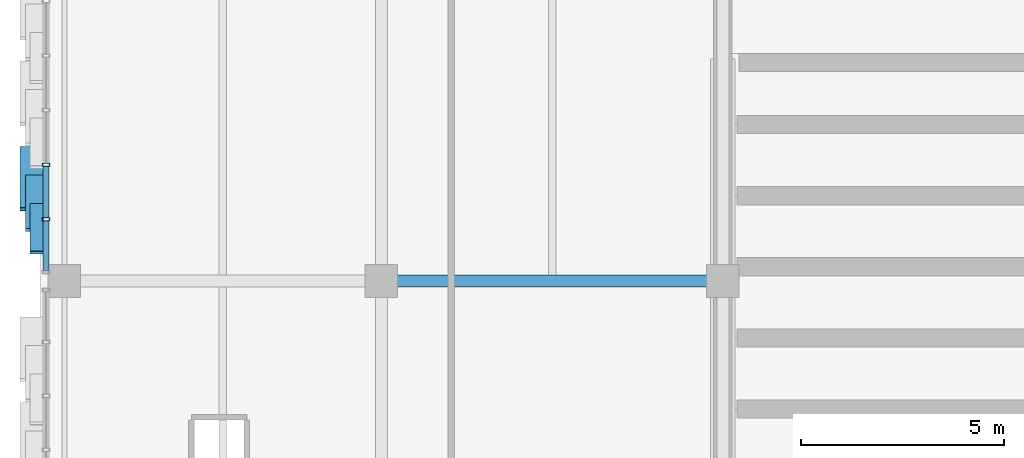
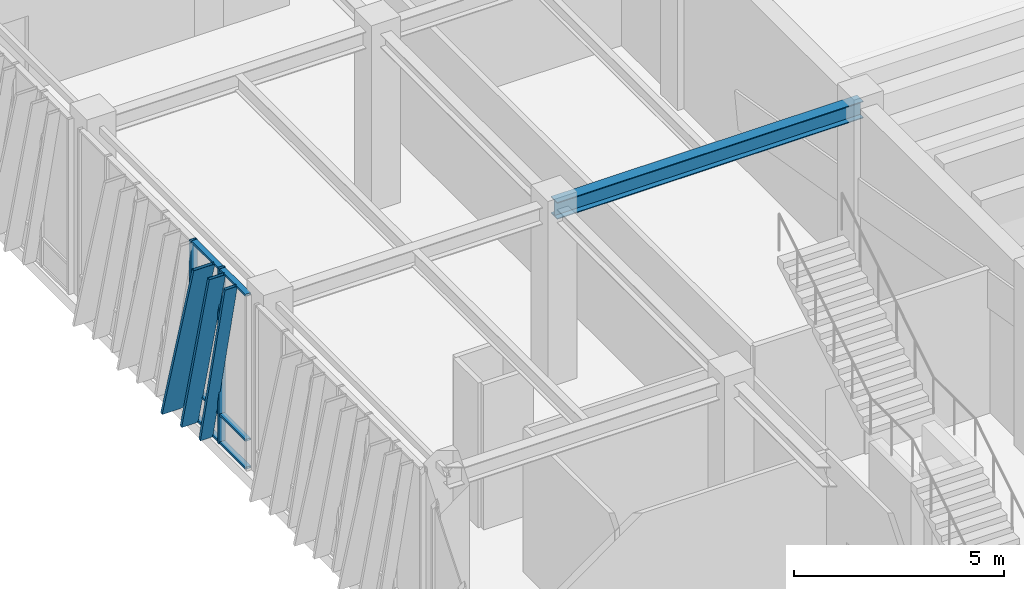
# One storey, part 36 of 122: 11 members, 1 beam, 1 element without a shape of its own.
"""IFC4 building model written with IfcOpenShell, lengths in metres."""

from ifc_helpers import new_model, si_unit, direction, frame, origin, origin_2d, place, context, subcontext, project, spatial, hollow_rectangle, i_section, extrude, material, layer, layer_set, material_profile, profile_set, type_object, element, aggregate, save


model = new_model("IFC4")

# Units and contexts
model_context = context("Model", 3, precision=1e-05, world=origin(), true_north=direction((0.0, 1.0)))
body_context = subcontext(model_context, "Body", "Model", "MODEL_VIEW")
ifc_project = project(units=[si_unit("LENGTHUNIT", "METRE"), si_unit("AREAUNIT", "SQUARE_METRE"), si_unit("VOLUMEUNIT", "CUBIC_METRE"), si_unit("PLANEANGLEUNIT", "RADIAN"), si_unit("MASSUNIT", "GRAM", prefix="KILO")], contexts=[model_context])

# Site, building, storey
site_placement = place(None, origin())
site = spatial("IfcSite", under=ifc_project, at=site_placement, CompositionType="ELEMENT")
building_placement = place(site_placement, origin())
building = spatial("IfcBuilding", under=site, at=building_placement, Name="Zayran Congress Hotel", CompositionType="ELEMENT")
storey_placement = place(building_placement, origin())
storey = spatial("IfcBuildingStorey", under=building, at=storey_placement, Name="L00", CompositionType="ELEMENT", Elevation=0.0)

# Beam
ifc_material_1 = material(Name="Steel S355", Category="steel")
ifc_material_profile_1 = material_profile(ifc_material_1, i_section(OverallWidth=0.300048828125, OverallDepth=0.489990234375, WebThickness=0.011962890625, FlangeThickness=0.02294921875, at=origin_2d()), Name="HEA 500")
ifc_profile_set_1 = profile_set([ifc_material_profile_1], Name="Steel S355")
beam_type = type_object("IfcBeamType", Name="TP-BM-05", PredefinedType="BEAM", material=ifc_profile_set_1)
beam_placement = place(storey_placement, frame((16.800048828125, 92.800048828125, 4.8349609375), z_axis=(1.0, 0.0, 0.0), x_axis=(0.0, 1.0, 0.0)))
element("IfcBeam", 1, at=beam_placement, inside=storey, type_object=beam_type, Name="BM-V1-L00-0418", PredefinedType="BEAM", context=body_context, shape_type="SweptSolid", body=[
    extrude(i_section(OverallWidth=0.300048828125, OverallDepth=0.489990234375, WebThickness=0.011962890625, FlangeThickness=0.02294921875, at=origin_2d()), origin(), (0.0, 0.0, 1.0), 8.39990234375),
])

# Curtain wall, members
ifc_material_2 = material(Name="Anodised aluminium and low-E insulated glass", Category="aluminium")
ifc_layer = layer(ifc_material_2, 0.179931640625)
ifc_layer_set = layer_set([ifc_layer], Name="Anodised aluminium and low-E insulated glass")
curtain_wall_type = type_object("IfcCurtainWallType", Name="CW-V1W-L00-CW-32-8040-5080", PredefinedType="USERDEFINED", material=ifc_layer_set)
curtain_wall_placement = place(storey_placement, origin())
curtain_wall = element("IfcCurtainWall", 2, at=curtain_wall_placement, inside=storey, type_object=curtain_wall_type, Name="CW-V1W-L00-3", ObjectType="CURTAIN WALL", PredefinedType="USERDEFINED")
ifc_material_3 = material(Name="Anodised aluminium framing", Category="aluminium")
ifc_material_profile_2 = material_profile(ifc_material_3, hollow_rectangle(XDim=0.080078125, YDim=0.179931640625, WallThickness=0.0048828125, at=origin_2d()), Name="RHS 180x80x5")
ifc_profile_set_2 = profile_set([ifc_material_profile_2], Name="Anodised aluminium framing")
member_type_1 = type_object("IfcMemberType", Name="TP-CWM-01", PredefinedType="MULLION", material=ifc_profile_set_2)
member_1_placement = place(storey_placement, frame((8.550048828125, 95.659912109375, 0.0), z_axis=(0.0, 0.0, 1.0), x_axis=(0.0, 1.0, 0.0)))
member_1 = element("IfcMember", 3, at=member_1_placement, type_object=member_type_1, Name="CW-V1W-L00-3-M04", PredefinedType="MULLION", context=body_context, shape_type="SweptSolid", body=[
    extrude(hollow_rectangle(XDim=0.080078125, YDim=0.179931640625, WallThickness=0.0048828125, at=origin_2d()), origin(), (0.0, 0.0, 1.0), 5.080078125),
])
member_2_placement = place(storey_placement, frame((8.550048828125, 94.320068359375, 0.0), z_axis=(0.0, 0.0, 1.0), x_axis=(0.0, 1.0, 0.0)))
member_2 = element("IfcMember", 4, at=member_2_placement, type_object=member_type_1, Name="CW-V1W-L00-3-M05", PredefinedType="MULLION", context=body_context, shape_type="SweptSolid", body=[
    extrude(hollow_rectangle(XDim=0.080078125, YDim=0.179931640625, WallThickness=0.0048828125, at=origin_2d()), origin(), (0.0, 0.0, 1.0), 5.080078125),
])
ifc_material_profile_3 = material_profile(ifc_material_3, hollow_rectangle(XDim=0.06005859375, YDim=0.14990234375, WallThickness=0.00390625, at=origin_2d()), Name="RHS 150x60x4")
ifc_profile_set_3 = profile_set([ifc_material_profile_3], Name="Anodised aluminium framing")
member_type_2 = type_object("IfcMemberType", Name="TP-CWT-01", PredefinedType="USERDEFINED", material=ifc_profile_set_3)
member_3_placement = place(storey_placement, frame((8.550048828125, 95.6201171875, 0.030029296875), z_axis=(0.0, -1.0, 0.0), x_axis=(0.0, 0.0, 1.0)))
member_3 = element("IfcMember", 5, at=member_3_placement, type_object=member_type_2, Name="CW-V1W-L00-3-T04-0", ObjectType="TRANSOM", PredefinedType="USERDEFINED", context=body_context, shape_type="SweptSolid", body=[
    extrude(hollow_rectangle(XDim=0.06005859375, YDim=0.14990234375, WallThickness=0.00390625, at=origin_2d()), origin(), (0.0, 0.0, 1.0), 1.260009765625),
])
member_4_placement = place(storey_placement, frame((8.550048828125, 95.6201171875, 0.840087890625), z_axis=(0.0, -1.0, 0.0), x_axis=(0.0, 0.0, 1.0)))
member_4 = element("IfcMember", 6, at=member_4_placement, type_object=member_type_2, Name="CW-V1W-L00-3-T04-1", ObjectType="TRANSOM", PredefinedType="USERDEFINED", context=body_context, shape_type="SweptSolid", body=[
    extrude(hollow_rectangle(XDim=0.06005859375, YDim=0.14990234375, WallThickness=0.00390625, at=origin_2d()), origin(), (0.0, 0.0, 1.0), 1.260009765625),
])
member_5_placement = place(storey_placement, frame((8.550048828125, 95.6201171875, 5.050048828125), z_axis=(0.0, -1.0, 0.0), x_axis=(0.0, 0.0, 1.0)))
member_5 = element("IfcMember", 7, at=member_5_placement, type_object=member_type_2, Name="CW-V1W-L00-3-T04-2", ObjectType="TRANSOM", PredefinedType="USERDEFINED", context=body_context, shape_type="SweptSolid", body=[
    extrude(hollow_rectangle(XDim=0.06005859375, YDim=0.14990234375, WallThickness=0.00390625, at=origin_2d()), origin(), (0.0, 0.0, 1.0), 1.260009765625),
])
member_6_placement = place(storey_placement, frame((8.550048828125, 94.280029296875, 0.030029296875), z_axis=(0.0, -1.0, 0.0), x_axis=(0.0, 0.0, 1.0)))
member_6 = element("IfcMember", 8, at=member_6_placement, type_object=member_type_2, Name="CW-V1W-L00-3-T05-0", ObjectType="TRANSOM", PredefinedType="USERDEFINED", context=body_context, shape_type="SweptSolid", body=[
    extrude(hollow_rectangle(XDim=0.06005859375, YDim=0.14990234375, WallThickness=0.00390625, at=origin_2d()), origin(), (0.0, 0.0, 1.0), 1.219970703125),
])
member_7_placement = place(storey_placement, frame((8.550048828125, 94.280029296875, 0.840087890625), z_axis=(0.0, -1.0, 0.0), x_axis=(0.0, 0.0, 1.0)))
member_7 = element("IfcMember", 9, at=member_7_placement, type_object=member_type_2, Name="CW-V1W-L00-3-T05-1", ObjectType="TRANSOM", PredefinedType="USERDEFINED", context=body_context, shape_type="SweptSolid", body=[
    extrude(hollow_rectangle(XDim=0.06005859375, YDim=0.14990234375, WallThickness=0.00390625, at=origin_2d()), origin(), (0.0, 0.0, 1.0), 1.219970703125),
])
member_8_placement = place(storey_placement, frame((8.550048828125, 94.280029296875, 5.050048828125), z_axis=(0.0, -1.0, 0.0), x_axis=(0.0, 0.0, 1.0)))
member_8 = element("IfcMember", 10, at=member_8_placement, type_object=member_type_2, Name="CW-V1W-L00-3-T05-2", ObjectType="TRANSOM", PredefinedType="USERDEFINED", context=body_context, shape_type="SweptSolid", body=[
    extrude(hollow_rectangle(XDim=0.06005859375, YDim=0.14990234375, WallThickness=0.00390625, at=origin_2d()), origin(), (0.0, 0.0, 1.0), 1.219970703125),
])
ifc_material_4 = material(Name="Warm bronze anodised aluminium", Category="aluminium")
ifc_material_profile_4 = material_profile(ifc_material_4, hollow_rectangle(XDim=0.080078125, YDim=0.580078125, WallThickness=0.006103515625, at=origin_2d()), Name="RHS 580x80x6")
ifc_profile_set_4 = profile_set([ifc_material_profile_4], Name="Warm bronze anodised aluminium")
member_type_3 = type_object("IfcMemberType", Name="TP-RFN-01", PredefinedType="MULLION", material=ifc_profile_set_4)
member_9_placement = place(storey_placement, frame((8.199951171875, 96.070068359375, 0.0), z_axis=(0.0, -0.284031848834, 0.958814845968), x_axis=(0.0, 0.958814845968, 0.284031848834)))
member_9 = element("IfcMember", 11, at=member_9_placement, type_object=member_type_3, Name="Slanting Reed Mullion CW-32-07", PredefinedType="MULLION", context=body_context, shape_type="SweptSolid", body=[
    extrude(hollow_rectangle(XDim=0.080078125, YDim=0.580078125, WallThickness=0.006103515625, at=origin_2d()), origin(), (0.0, 0.0, 1.0), 5.29833984375),
])
ifc_material_profile_5 = material_profile(ifc_material_4, hollow_rectangle(XDim=0.080078125, YDim=0.449951171875, WallThickness=0.006103515625, at=origin_2d()), Name="RHS 450x80x6")
ifc_profile_set_5 = profile_set([ifc_material_profile_5], Name="Warm bronze anodised aluminium")
member_type_4 = type_object("IfcMemberType", Name="TP-RFN-02", PredefinedType="MULLION", material=ifc_profile_set_5)
member_10_placement = place(storey_placement, frame((8.264892578125, 95.3701171875, 0.0), z_axis=(0.0, -0.25040989041, 0.968139910749), x_axis=(0.0, 0.968139910749, 0.25040989041)))
member_10 = element("IfcMember", 12, at=member_10_placement, type_object=member_type_4, Name="Slanting Reed Mullion CW-32-08", PredefinedType="MULLION", context=body_context, shape_type="SweptSolid", body=[
    extrude(hollow_rectangle(XDim=0.080078125, YDim=0.449951171875, WallThickness=0.006103515625, at=origin_2d()), origin(), (0.0, 0.0, 1.0), 5.247314453125),
])
ifc_material_profile_6 = material_profile(ifc_material_4, hollow_rectangle(XDim=0.080078125, YDim=0.340087890625, WallThickness=0.006103515625, at=origin_2d()), Name="RHS 340x80x6")
ifc_profile_set_6 = profile_set([ifc_material_profile_6], Name="Warm bronze anodised aluminium")
member_type_5 = type_object("IfcMemberType", Name="TP-RFN-03", PredefinedType="MULLION", material=ifc_profile_set_6)
member_11_placement = place(storey_placement, frame((8.320068359375, 94.669921875, 0.0), z_axis=(0.0, -0.224910805794, 0.97437935602), x_axis=(0.0, 0.97437935602, 0.224910805794)))
member_11 = element("IfcMember", 13, at=member_11_placement, type_object=member_type_5, Name="Slanting Reed Mullion CW-32-09", PredefinedType="MULLION", context=body_context, shape_type="SweptSolid", body=[
    extrude(hollow_rectangle(XDim=0.080078125, YDim=0.340087890625, WallThickness=0.006103515625, at=origin_2d()), origin(), (0.0, 0.0, 1.0), 5.213623046875),
])
aggregate(curtain_wall, [member_1, member_2, member_3, member_4, member_5, member_6, member_7, member_8, member_9, member_10, member_11])

save(model, "model.ifc")
